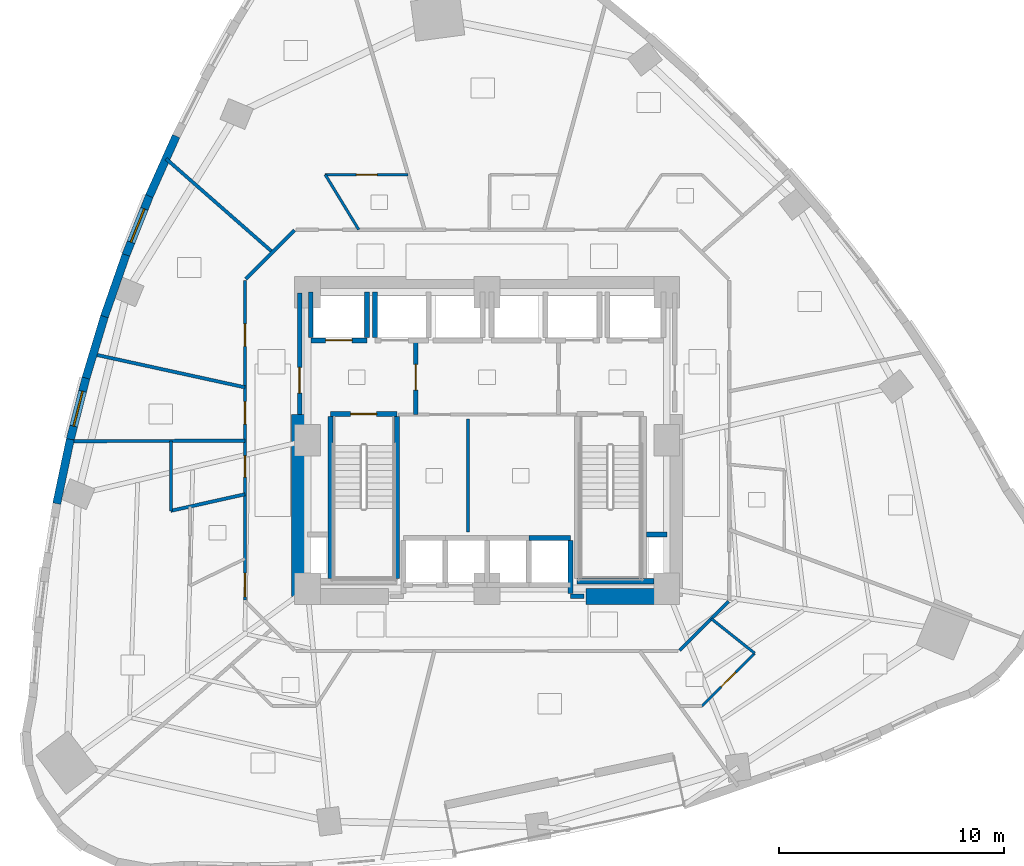
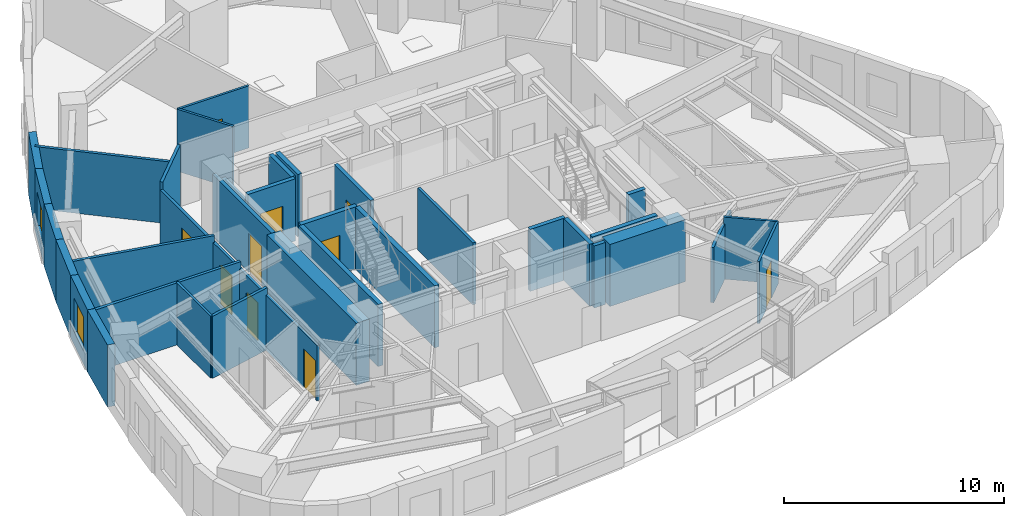
# One storey, part 6 of 12: 35 walls, 10 doors, 2 windows, 12 openings.
"""IFC4 building model written with IfcOpenShell, lengths in metres."""

from ifc_helpers import new_model, si_unit, direction, frame, frame_2d, origin, place, context, subcontext, project, spatial, rectangle, extrude, material, layer, layer_set, type_object, element, fill, save


model = new_model("IFC4")

# Units and contexts
model_context = context("Model", 3, precision=1e-05, world=origin(), true_north=direction((0.0, 1.0)))
body_context = subcontext(model_context, "Body", "Model", "MODEL_VIEW")
ifc_project = project(units=[si_unit("LENGTHUNIT", "METRE"), si_unit("AREAUNIT", "SQUARE_METRE"), si_unit("VOLUMEUNIT", "CUBIC_METRE"), si_unit("PLANEANGLEUNIT", "RADIAN"), si_unit("MASSUNIT", "GRAM", prefix="KILO")], contexts=[model_context])

# Site, building, storey
site_placement = place(None, origin())
site = spatial("IfcSite", under=ifc_project, at=site_placement, CompositionType="ELEMENT")
building_placement = place(site_placement, origin())
building = spatial("IfcBuilding", under=site, at=building_placement, Name="Ndelora Gate Hotel", CompositionType="ELEMENT")
storey_placement = place(building_placement, frame((0.0, 0.0, 79.25)))
storey = spatial("IfcBuildingStorey", under=building, at=storey_placement, Name="L19", CompositionType="ELEMENT", Elevation=79.25)

# Wall
ifc_material_1 = material(Name="Clay Brick Masonry", Category="masonry")
ifc_layer_1 = layer(ifc_material_1, 0.360107421875)
ifc_layer_set_1 = layer_set([ifc_layer_1], Name="Clay Brick Masonry")
wall_type_1 = type_object("IfcWallType", Name="WL-BRICK-360", PredefinedType="SOLIDWALL", material=ifc_layer_set_1)
wall_1_placement = place(storey_placement, frame((-15.038330078125, 10.87255859375, 0.0), z_axis=(0.0, 0.0, 1.0), x_axis=(0.408305664589, 0.912845268523, 0.0)))
element("IfcWall", 1, at=wall_1_placement, inside=storey, type_object=wall_type_1, Name="L19 Tower Brick Pier-and-Spandrel Wall TWR-12", PredefinedType="SOLIDWALL", context=body_context, shape_type="SweptSolid", body=[
    extrude(rectangle(XDim=2.925048828125, YDim=0.360107421875, at=frame_2d((1.46240234375, 0.0))), origin(), (0.0, 0.0, 1.0), 3.43994140625),
])

# Wall, opening, window
wall_2_placement = place(storey_placement, frame((-16.09521484375, 8.209716796875, 0.0), z_axis=(0.0, 0.0, 1.0), x_axis=(0.369223403916, 0.929340668432, 0.0)))
wall_2 = element("IfcWall", 2, at=wall_2_placement, inside=storey, type_object=wall_type_1, Name="L19 Tower Brick Pier-and-Spandrel Wall TWR-13", PredefinedType="SOLIDWALL", context=body_context, shape_type="SweptSolid", body=[
    extrude(rectangle(XDim=2.914794921875, YDim=0.360107421875, at=frame_2d((1.45751953125, 0.0))), origin(), (0.0, 0.0, 1.0), 3.43994140625),
])
opening_1_placement = place(wall_2_placement, frame((0.657470703125, 0.0, 0.719970703125)))
opening_1 = element("IfcOpeningElement", 3, at=opening_1_placement, cuts=wall_2, Name="Opening W03", PredefinedType="OPENING", context=body_context, shape_type="SweptSolid", body=[
    extrude(rectangle(XDim=1.60009765625, YDim=1.8798828125, at=frame_2d((0.800048828125, 0.93994140625))), frame((0.0, 0.18994140625, 0.0), z_axis=(0.0, -1.0, 0.0), x_axis=(1.0, 0.0, 0.0)), (0.0, 0.0, 1.0), 0.380126953125),
])
ifc_material_2 = material(Name="Insulated Low-E Double Glazing in Bronze Aluminium Frame", Category="aluminium")
window_type_1 = type_object("IfcWindowType", Name="WN-CORN-2100", PartitioningType="SINGLE_PANEL", PredefinedType="WINDOW", material=ifc_material_2)
window_1_placement = place(opening_1_placement, origin())
window_1 = element("IfcWindow", 4, at=window_1_placement, inside=storey, type_object=window_type_1, Name="L19 Deep-Set Brick-Pier Window W03", OverallHeight=1.8798828125, OverallWidth=1.60009765625, PartitioningType="SINGLE_PANEL", PredefinedType="WINDOW", context=body_context, shape_type="SweptSolid", body=[
    extrude(rectangle(XDim=1.60009765625, YDim=1.8798828125, at=frame_2d((0.800048828125, 0.93994140625))), frame((0.0, 0.030029296875, 0.0), z_axis=(0.0, -1.0, 0.0), x_axis=(1.0, 0.0, 0.0)), (0.0, 0.0, 1.0), 0.06005859375),
])
fill(opening_1, window_1)

# Walls
wall_3_placement = place(storey_placement, frame((-17.035888671875, 5.509033203125, 0.0), z_axis=(0.0, 0.0, 1.0), x_axis=(0.329262553332, 0.944238407911, 0.0)))
element("IfcWall", 5, at=wall_3_placement, inside=storey, type_object=wall_type_1, Name="L19 Tower Brick Pier-and-Spandrel Wall TWR-14", PredefinedType="SOLIDWALL", context=body_context, shape_type="SweptSolid", body=[
    extrude(rectangle(XDim=2.90966796875, YDim=0.360107421875, at=frame_2d((1.454833984375, 0.0))), origin(), (0.0, 0.0, 1.0), 3.43994140625),
])
wall_4_placement = place(storey_placement, frame((-17.860107421875, 2.770751953125, 0.0), z_axis=(0.0, 0.0, 1.0), x_axis=(0.288579409527, 0.95745596473, 0.0)))
element("IfcWall", 6, at=wall_4_placement, inside=storey, type_object=wall_type_1, Name="L19 Tower Brick Pier-and-Spandrel Wall TWR-15", PredefinedType="SOLIDWALL", context=body_context, shape_type="SweptSolid", body=[
    extrude(rectangle(XDim=2.909423828125, YDim=0.360107421875, at=frame_2d((1.45458984375, 0.0))), origin(), (0.0, 0.0, 1.0), 3.43994140625),
])

# Wall, opening, window
wall_5_placement = place(storey_placement, frame((-18.568359375, -0.00537109375, 0.0), z_axis=(0.0, 0.0, 1.0), x_axis=(0.247577302221, 0.968868143467, 0.0)))
wall_5 = element("IfcWall", 7, at=wall_5_placement, inside=storey, type_object=wall_type_1, Name="L19 Tower Brick Pier-and-Spandrel Wall TWR-16", PredefinedType="SOLIDWALL", context=body_context, shape_type="SweptSolid", body=[
    extrude(rectangle(XDim=2.9150390625, YDim=0.360107421875, at=frame_2d((1.45751953125, 0.0))), origin(), (0.0, 0.0, 1.0), 3.43994140625),
])
opening_2_placement = place(wall_5_placement, frame((0.657470703125, 0.0, 0.719970703125)))
opening_2 = element("IfcOpeningElement", 8, at=opening_2_placement, cuts=wall_5, Name="Opening W01", PredefinedType="OPENING", context=body_context, shape_type="SweptSolid", body=[
    extrude(rectangle(XDim=1.60009765625, YDim=1.8798828125, at=frame_2d((0.800048828125, 0.93994140625))), frame((0.0, 0.18994140625, 0.0), z_axis=(0.0, -1.0, 0.0), x_axis=(1.0, 0.0, 0.0)), (0.0, 0.0, 1.0), 0.380126953125),
])
window_type_2 = type_object("IfcWindowType", Name="WN-DEEP-1600", PartitioningType="SINGLE_PANEL", PredefinedType="WINDOW", material=ifc_material_2)
window_2_placement = place(opening_2_placement, origin())
window_2 = element("IfcWindow", 9, at=window_2_placement, inside=storey, type_object=window_type_2, Name="L19 Deep-Set Brick-Pier Window W01", OverallHeight=1.8798828125, OverallWidth=1.60009765625, PartitioningType="SINGLE_PANEL", PredefinedType="WINDOW", context=body_context, shape_type="SweptSolid", body=[
    extrude(rectangle(XDim=1.60009765625, YDim=1.8798828125, at=frame_2d((0.800048828125, 0.93994140625))), frame((0.0, 0.030029296875, 0.0), z_axis=(0.0, -1.0, 0.0), x_axis=(1.0, 0.0, 0.0)), (0.0, 0.0, 1.0), 0.06005859375),
])
fill(opening_2, window_2)

# Walls
wall_6_placement = place(storey_placement, frame((-19.16015625, -2.819091796875, 0.0), z_axis=(0.0, 0.0, 1.0), x_axis=(0.206216567534, 0.978506375694, 0.0)))
element("IfcWall", 10, at=wall_6_placement, inside=storey, type_object=wall_type_1, Name="L19 Tower Brick Pier-and-Spandrel Wall TWR-17", PredefinedType="SOLIDWALL", context=body_context, shape_type="SweptSolid", body=[
    extrude(rectangle(XDim=2.925537109375, YDim=0.360107421875, at=frame_2d((1.462890625, 0.0))), origin(), (0.0, 0.0, 1.0), 3.43994140625),
])
ifc_material_3 = material(Name="Concrete C60/75", Category="concrete")
ifc_layer_2 = layer(ifc_material_3, 0.699951171875)
ifc_layer_set_2 = layer_set([ifc_layer_2], Name="Concrete C60/75")
wall_type_2 = type_object("IfcWallType", Name="WL-CORE-700", PredefinedType="SHEAR", material=ifc_layer_set_2)
wall_7_placement = place(storey_placement, frame((4.39990234375, -6.949951171875, 0.0), z_axis=(0.0, 0.0, 1.0), x_axis=(1.0, 0.0, 0.0)))
element("IfcWall", 11, at=wall_7_placement, inside=storey, type_object=wall_type_2, Name="L19 Core Shear Wall S-E", PredefinedType="SHEAR", context=body_context, shape_type="SweptSolid", body=[
    extrude(rectangle(XDim=3.9501953125, YDim=0.699951171875, at=frame_2d((1.97509765625, 0.0))), origin(), (0.0, 0.0, 1.0), 3.43994140625),
])
wall_8_placement = place(storey_placement, frame((-8.35009765625, -6.949951171875, 0.0), z_axis=(0.0, 0.0, 1.0), x_axis=(0.0, 1.0, 0.0)))
element("IfcWall", 12, at=wall_8_placement, inside=storey, type_object=wall_type_2, Name="L19 Core Shear Wall W", PredefinedType="SHEAR", context=body_context, shape_type="SweptSolid", body=[
    extrude(rectangle(XDim=8.099853515625, YDim=0.699951171875, at=frame_2d((4.0498046875, 0.0))), origin(), (0.0, 0.0, 1.0), 3.43994140625),
])

# Wall, opening, door
ifc_material_4 = material(Name="Concrete C40/50", Category="concrete")
ifc_layer_3 = layer(ifc_material_4, 0.199951171875)
ifc_layer_set_3 = layer_set([ifc_layer_3], Name="Concrete C40/50")
wall_type_3 = type_object("IfcWallType", Name="WL-FIRE-200", PredefinedType="PARTITIONING", material=ifc_layer_set_3)
wall_9_placement = place(storey_placement, frame((-3.179931640625, 1.14990234375, 0.0), z_axis=(0.0, 0.0, 1.0), x_axis=(0.0, 1.0, 0.0)))
wall_9 = element("IfcWall", 13, at=wall_9_placement, inside=storey, type_object=wall_type_3, Name="L19 Interior Wall IW-2", PredefinedType="PARTITIONING", context=body_context, shape_type="SweptSolid", body=[
    extrude(rectangle(XDim=3.300048828125, YDim=0.199951171875, at=frame_2d((1.64990234375, 0.0))), origin(), (0.0, 0.0, 1.0), 3.43994140625),
])
opening_3_placement = place(wall_9_placement, frame((1.080078125, 0.0, 0.0)))
opening_3 = element("IfcOpeningElement", 14, at=opening_3_placement, cuts=wall_9, Name="Opening FD1", PredefinedType="OPENING", context=body_context, shape_type="SweptSolid", body=[
    extrude(rectangle(XDim=1.14990234375, YDim=2.14990234375, at=frame_2d((0.574951171875, 1.074951171875))), frame((0.0, 0.10986328125, 0.0), z_axis=(0.0, -1.0, 0.0), x_axis=(1.0, 0.0, 0.0)), (0.0, 0.0, 1.0), 0.219970703125),
])
ifc_material_5 = material(Name="Fire-Rated Timber-Veneer Steel Core", Category="steel")
door_type_1 = type_object("IfcDoorType", Name="DR-FD60", OperationType="SINGLE_SWING_LEFT", PredefinedType="DOOR", material=ifc_material_5)
door_1_placement = place(opening_3_placement, origin())
door_1 = element("IfcDoor", 15, at=door_1_placement, inside=storey, type_object=door_type_1, Name="L19 Firefighting Lobby West Door", OperationType="SINGLE_SWING_RIGHT", OverallHeight=2.14990234375, OverallWidth=1.14990234375, PredefinedType="DOOR", context=body_context, shape_type="SweptSolid", body=[
    extrude(rectangle(XDim=1.14990234375, YDim=2.14990234375, at=frame_2d((0.574951171875, 1.074951171875))), frame((0.0, 0.02490234375, 0.0), z_axis=(0.0, -1.0, 0.0), x_axis=(1.0, 0.0, 0.0)), (0.0, 0.0, 1.0), 0.050048828125),
])
fill(opening_3, door_1)

wall_10_placement = place(storey_placement, frame((-8.35009765625, 1.14990234375, 0.0), z_axis=(0.0, 0.0, 1.0), x_axis=(0.0, 1.0, 0.0)))
wall_10 = element("IfcWall", 16, at=wall_10_placement, inside=storey, type_object=wall_type_3, Name="L19 Interior Wall IW-2", PredefinedType="PARTITIONING", context=body_context, shape_type="SweptSolid", body=[
    extrude(rectangle(XDim=5.400146484375, YDim=0.199951171875, at=frame_2d((2.7001953125, 0.0))), origin(), (0.0, 0.0, 1.0), 3.43994140625),
])
opening_4_placement = place(wall_10_placement, frame((0.949951171875, 0.0, 0.0)))
opening_4 = element("IfcOpeningElement", 17, at=opening_4_placement, cuts=wall_10, Name="Opening FD1", PredefinedType="OPENING", context=body_context, shape_type="SweptSolid", body=[
    extrude(rectangle(XDim=1.14990234375, YDim=2.14990234375, at=frame_2d((0.574951171875, 1.074951171875))), frame((0.0, 0.10986328125, 0.0), z_axis=(0.0, -1.0, 0.0), x_axis=(1.0, 0.0, 0.0)), (0.0, 0.0, 1.0), 0.219970703125),
])
door_2_placement = place(opening_4_placement, origin())
door_2 = element("IfcDoor", 18, at=door_2_placement, inside=storey, type_object=door_type_1, Name="L19 Firefighting Lobby West Corridor Door", OperationType="SINGLE_SWING_LEFT", OverallHeight=2.14990234375, OverallWidth=1.14990234375, PredefinedType="DOOR", context=body_context, shape_type="SweptSolid", body=[
    extrude(rectangle(XDim=1.14990234375, YDim=2.14990234375, at=frame_2d((0.574951171875, 1.074951171875))), frame((0.0, 0.02490234375, 0.0), z_axis=(0.0, -1.0, 0.0), x_axis=(1.0, 0.0, 0.0)), (0.0, 0.0, 1.0), 0.050048828125),
])
fill(opening_4, door_2)

# Walls
wall_11_placement = place(storey_placement, frame((3.719970703125, -6.949951171875, 0.0), z_axis=(0.0, 0.0, 1.0), x_axis=(1.0, 0.0, 0.0)))
element("IfcWall", 19, at=wall_11_placement, inside=storey, type_object=wall_type_3, Name="L19 Interior Wall IW-2", PredefinedType="PARTITIONING", context=body_context, shape_type="SweptSolid", body=[
    extrude(rectangle(XDim=0.60009765625, YDim=0.199951171875, at=frame_2d((0.300048828125, 0.0))), origin(), (0.0, 0.0, 1.0), 3.43994140625),
])
ifc_material_6 = material(Name="Fire-Rated Gypsum Stud Partition", Category="gypsum")
ifc_layer_4 = layer(ifc_material_6, 0.14990234375)
ifc_layer_set_4 = layer_set([ifc_layer_4], Name="Fire-Rated Gypsum Stud Partition")
wall_type_4 = type_object("IfcWallType", Name="WL-PART-150", PredefinedType="PARTITIONING", material=ifc_layer_set_4)
wall_12_placement = place(storey_placement, frame((-0.85009765625, -4.080078125, 0.0), z_axis=(0.0, 0.0, 1.0), x_axis=(0.0, 1.0, 0.0)))
element("IfcWall", 20, at=wall_12_placement, inside=storey, type_object=wall_type_4, Name="L19 Interior Wall IW-5", PredefinedType="PARTITIONING", context=body_context, shape_type="SweptSolid", body=[
    extrude(rectangle(XDim=5.030029296875, YDim=0.14990234375, at=frame_2d((2.51513671875, 0.0))), origin(), (0.0, 0.0, 1.0), 3.43994140625),
])
wall_13_placement = place(storey_placement, frame((10.751708984375, -7.17822265625, 0.0), z_axis=(0.0, 0.0, 1.0), x_axis=(-0.707067066127, -0.707146494016, 0.0)))
element("IfcWall", 21, at=wall_13_placement, inside=storey, type_object=wall_type_4, Name="L19 Interior Wall IW-5", PredefinedType="PARTITIONING", context=body_context, shape_type="SweptSolid", body=[
    extrude(rectangle(XDim=3.07373046875, YDim=0.14990234375, at=frame_2d((1.536865234375, 0.0))), origin(), (0.0, 0.0, 1.0), 3.06005859375),
])
wall_14_placement = place(storey_placement, frame((-10.751708984375, 7.17822265625, 0.0), z_axis=(0.0, 0.0, 1.0), x_axis=(0.707067066127, 0.707146494016, 0.0)))
element("IfcWall", 22, at=wall_14_placement, inside=storey, type_object=wall_type_4, Name="L19 Interior Wall IW-5", PredefinedType="PARTITIONING", context=body_context, shape_type="SweptSolid", body=[
    extrude(rectangle(XDim=3.07373046875, YDim=0.14990234375, at=frame_2d((1.536865234375, 0.0))), origin(), (0.0, 0.0, 1.0), 3.43994140625),
])

# Wall, openings, doors
wall_15_placement = place(storey_placement, frame((-10.780029296875, -7.110107421875, 0.0), z_axis=(0.0, 0.0, 1.0), x_axis=(0.0, 1.0, 0.0)))
wall_15 = element("IfcWall", 23, at=wall_15_placement, inside=storey, type_object=wall_type_4, Name="L19 Interior Wall IW-5", PredefinedType="PARTITIONING", context=body_context, shape_type="SweptSolid", body=[
    extrude(rectangle(XDim=14.22021484375, YDim=0.14990234375, at=frame_2d((7.110107421875, 0.0))), origin(), (0.0, 0.0, 1.0), 3.06005859375),
])
opening_5_placement = place(wall_15_placement, frame((5.470947265625, 0.0, 0.0)))
opening_5 = element("IfcOpeningElement", 24, at=opening_5_placement, cuts=wall_15, Name="Opening D05", PredefinedType="OPENING", context=body_context, shape_type="SweptSolid", body=[
    extrude(rectangle(XDim=0.949951171875, YDim=2.10009765625, at=frame_2d((0.47509765625, 1.050048828125))), frame((0.0, 0.0849609375, 0.0), z_axis=(0.0, -1.0, 0.0), x_axis=(1.0, 0.0, 0.0)), (0.0, 0.0, 1.0), 0.169921875),
])
opening_6_placement = place(wall_15_placement, frame((7.830322265625, 0.0, 0.0)))
opening_6 = element("IfcOpeningElement", 25, at=opening_6_placement, cuts=wall_15, Name="Opening D01", PredefinedType="OPENING", context=body_context, shape_type="SweptSolid", body=[
    extrude(rectangle(XDim=1.0, YDim=2.14990234375, at=frame_2d((0.5, 1.074951171875))), frame((0.0, 0.0849609375, 0.0), z_axis=(0.0, -1.0, 0.0), x_axis=(1.0, 0.0, 0.0)), (0.0, 0.0, 1.0), 0.169921875),
])
opening_7_placement = place(wall_15_placement, frame((11.294189453125, 0.0, 0.0)))
opening_7 = element("IfcOpeningElement", 26, at=opening_7_placement, cuts=wall_15, Name="Opening D01", PredefinedType="OPENING", context=body_context, shape_type="SweptSolid", body=[
    extrude(rectangle(XDim=1.0, YDim=2.14990234375, at=frame_2d((0.5, 1.074951171875))), frame((0.0, 0.0849609375, 0.0), z_axis=(0.0, -1.0, 0.0), x_axis=(1.0, 0.0, 0.0)), (0.0, 0.0, 1.0), 0.169921875),
])
opening_8_placement = place(wall_15_placement, frame((0.139892578125, 0.0, 0.0)))
opening_8 = element("IfcOpeningElement", 27, at=opening_8_placement, cuts=wall_15, Name="Opening D07", PredefinedType="OPENING", context=body_context, shape_type="SweptSolid", body=[
    extrude(rectangle(XDim=1.06005859375, YDim=2.14990234375, at=frame_2d((0.530029296875, 1.074951171875))), frame((0.0, 0.0849609375, 0.0), z_axis=(0.0, -1.0, 0.0), x_axis=(1.0, 0.0, 0.0)), (0.0, 0.0, 1.0), 0.169921875),
])
ifc_material_7 = material(Name="Accessible Restroom Wide-Clearance Door", Category="wood")
door_type_2 = type_object("IfcDoorType", Name="DR-ACC-950", OperationType="SINGLE_SWING_LEFT", PredefinedType="DOOR", material=ifc_material_7)
door_3_placement = place(opening_5_placement, origin())
door_3 = element("IfcDoor", 28, at=door_3_placement, inside=storey, type_object=door_type_2, Name="L19 Accessible WC Entrance Door", OperationType="SINGLE_SWING_RIGHT", OverallHeight=2.10009765625, OverallWidth=0.949951171875, PredefinedType="DOOR", context=body_context, shape_type="SweptSolid", body=[
    extrude(rectangle(XDim=0.949951171875, YDim=2.10009765625, at=frame_2d((0.47509765625, 1.050048828125))), frame((0.0, 0.02490234375, 0.0), z_axis=(0.0, -1.0, 0.0), x_axis=(1.0, 0.0, 0.0)), (0.0, 0.0, 1.0), 0.050048828125),
])
fill(opening_5, door_3)
ifc_material_8 = material(Name="Acoustic Hardwood Guest Entrance Door", Category="wood")
door_type_3 = type_object("IfcDoorType", Name="DR-COR-1000", OperationType="SINGLE_SWING_LEFT", PredefinedType="DOOR", material=ifc_material_8)
door_4_placement = place(opening_6_placement, origin())
door_4 = element("IfcDoor", 29, at=door_4_placement, inside=storey, type_object=door_type_3, Name="L19 Housekeeping and Linen Room Entrance Door", OperationType="SINGLE_SWING_LEFT", OverallHeight=2.14990234375, OverallWidth=1.0, PredefinedType="DOOR", context=body_context, shape_type="SweptSolid", body=[
    extrude(rectangle(XDim=1.0, YDim=2.14990234375, at=frame_2d((0.5, 1.074951171875))), frame((0.0, 0.02490234375, 0.0), z_axis=(0.0, -1.0, 0.0), x_axis=(1.0, 0.0, 0.0)), (0.0, 0.0, 1.0), 0.050048828125),
])
fill(opening_6, door_4)
door_5_placement = place(opening_7_placement, origin())
door_5 = element("IfcDoor", 30, at=door_5_placement, inside=storey, type_object=door_type_3, Name="L19 Espresso Cocktail Bar Entrance Door", OperationType="SINGLE_SWING_RIGHT", OverallHeight=2.14990234375, OverallWidth=1.0, PredefinedType="DOOR", context=body_context, shape_type="SweptSolid", body=[
    extrude(rectangle(XDim=1.0, YDim=2.14990234375, at=frame_2d((0.5, 1.074951171875))), frame((0.0, 0.02490234375, 0.0), z_axis=(0.0, -1.0, 0.0), x_axis=(1.0, 0.0, 0.0)), (0.0, 0.0, 1.0), 0.050048828125),
])
fill(opening_7, door_5)
ifc_material_9 = material(Name="Diplomatic Suite Acoustic Entrance Door", Category="wood")
door_type_4 = type_object("IfcDoorType", Name="DR-SUITE-1060", OperationType="SINGLE_SWING_LEFT", PredefinedType="DOOR", material=ifc_material_9)
door_6_placement = place(opening_8_placement, origin())
door_6 = element("IfcDoor", 31, at=door_6_placement, inside=storey, type_object=door_type_4, Name="L19 Two-Bay Diplomatic Suite 2201 Entrance Door", OperationType="SINGLE_SWING_RIGHT", OverallHeight=2.14990234375, OverallWidth=1.06005859375, PredefinedType="DOOR", context=body_context, shape_type="SweptSolid", body=[
    extrude(rectangle(XDim=1.06005859375, YDim=2.14990234375, at=frame_2d((0.530029296875, 1.074951171875))), frame((0.0, 0.02490234375, 0.0), z_axis=(0.0, -1.0, 0.0), x_axis=(1.0, 0.0, 0.0)), (0.0, 0.0, 1.0), 0.050048828125),
])
fill(opening_8, door_6)

# Walls
wall_16_placement = place(storey_placement, frame((-10.780029296875, -2.40283203125, 0.0), z_axis=(0.0, 0.0, 1.0), x_axis=(-0.976045834457, -0.217564999572, 0.0)))
element("IfcWall", 32, at=wall_16_placement, inside=storey, type_object=wall_type_4, Name="L19 Interior Wall IW-5", PredefinedType="PARTITIONING", context=body_context, shape_type="SweptSolid", body=[
    extrude(rectangle(XDim=3.381103515625, YDim=0.14990234375, at=frame_2d((1.6904296875, 0.0))), origin(), (0.0, 0.0, 1.0), 3.43994140625),
])
wall_17_placement = place(storey_placement, frame((-9.552490234375, 8.37744140625, 0.0), z_axis=(0.0, 0.0, 1.0), x_axis=(-0.751832839007, 0.659353761034, 0.0)))
element("IfcWall", 33, at=wall_17_placement, inside=storey, type_object=wall_type_4, Name="L19 Interior Wall IW-5", PredefinedType="PARTITIONING", context=body_context, shape_type="SweptSolid", body=[
    extrude(rectangle(XDim=6.306884765625, YDim=0.14990234375, at=frame_2d((3.1533203125, 0.0))), origin(), (0.0, 0.0, 1.0), 3.43994140625),
])
wall_18_placement = place(storey_placement, frame((-10.780029296875, 2.358154296875, 0.0), z_axis=(0.0, 0.0, 1.0), x_axis=(-0.97689172926, 0.213734763911, 0.0)))
element("IfcWall", 34, at=wall_18_placement, inside=storey, type_object=wall_type_4, Name="L19 Interior Wall IW-5", PredefinedType="PARTITIONING", context=body_context, shape_type="SweptSolid", body=[
    extrude(rectangle(XDim=6.918701171875, YDim=0.14990234375, at=frame_2d((3.45947265625, 0.0))), origin(), (0.0, 0.0, 1.0), 3.43994140625),
])
wall_19_placement = place(storey_placement, frame((-10.780029296875, -0.021240234375, 0.0), z_axis=(0.0, 0.0, 1.0), x_axis=(-0.999998052657, -0.001973494888, 0.0)))
element("IfcWall", 35, at=wall_19_placement, inside=storey, type_object=wall_type_4, Name="L19 Interior Wall IW-5", PredefinedType="PARTITIONING", context=body_context, shape_type="SweptSolid", body=[
    extrude(rectangle(XDim=7.793701171875, YDim=0.14990234375, at=frame_2d((3.89697265625, 0.0))), origin(), (0.0, 0.0, 1.0), 3.43994140625),
])
ifc_layer_5 = layer(ifc_material_4, 0.219970703125)
ifc_layer_set_5 = layer_set([ifc_layer_5], Name="Concrete C40/50")
wall_type_5 = type_object("IfcWallType", Name="WL-SHAFT-220", PredefinedType="PARTITIONING", material=ifc_layer_set_5)
wall_20_placement = place(storey_placement, frame((7.090087890625, -4.199951171875, 0.0), z_axis=(0.0, 0.0, 1.0), x_axis=(1.0, 0.0, 0.0)))
element("IfcWall", 36, at=wall_20_placement, inside=storey, type_object=wall_type_5, Name="L19 Interior Wall IW-1", PredefinedType="PARTITIONING", context=body_context, shape_type="SweptSolid", body=[
    extrude(rectangle(XDim=0.909912109375, YDim=0.219970703125, at=frame_2d((0.455078125, 0.0))), origin(), (0.0, 0.0, 1.0), 3.43994140625),
])

# Wall, opening, door
wall_21_placement = place(storey_placement, frame((-7.85009765625, 4.449951171875, 0.0), z_axis=(0.0, 0.0, 1.0), x_axis=(1.0, 0.0, 0.0)))
wall_21 = element("IfcWall", 37, at=wall_21_placement, inside=storey, type_object=wall_type_5, Name="L19 Interior Wall IW-1", PredefinedType="PARTITIONING", context=body_context, shape_type="SweptSolid", body=[
    extrude(rectangle(XDim=2.5, YDim=0.219970703125, at=frame_2d((1.25, 0.0))), origin(), (0.0, 0.0, 1.0), 3.43994140625),
])
opening_9_placement = place(wall_21_placement, frame((0.659912109375, 0.0, 0.0)))
opening_9 = element("IfcOpeningElement", 38, at=opening_9_placement, cuts=wall_21, Name="Opening LD5", PredefinedType="OPENING", context=body_context, shape_type="SweptSolid", body=[
    extrude(rectangle(XDim=1.179931640625, YDim=2.14990234375, at=frame_2d((0.58984375, 1.074951171875))), frame((0.0, 0.1201171875, 0.0), z_axis=(0.0, -1.0, 0.0), x_axis=(1.0, 0.0, 0.0)), (0.0, 0.0, 1.0), 0.239990234375),
])
ifc_material_10 = material(Name="Firefighting Lift Stainless Sliding Landing Door", Category="metal")
door_type_5 = type_object("IfcDoorType", Name="DR-LD5", OperationType="DOUBLE_DOOR_SLIDING", PredefinedType="DOOR", material=ifc_material_10)
door_7_placement = place(opening_9_placement, origin())
door_7 = element("IfcDoor", 39, at=door_7_placement, inside=storey, type_object=door_type_5, Name="L19 Lift Landing Sliding Door FFL1", OperationType="DOUBLE_DOOR_SLIDING", OverallHeight=2.14990234375, OverallWidth=1.179931640625, PredefinedType="DOOR", context=body_context, shape_type="SweptSolid", body=[
    extrude(rectangle(XDim=1.179931640625, YDim=2.14990234375, at=frame_2d((0.58984375, 1.074951171875))), frame((0.0, 0.02490234375, 0.0), z_axis=(0.0, -1.0, 0.0), x_axis=(1.0, 0.0, 0.0)), (0.0, 0.0, 1.0), 0.050048828125),
])
fill(opening_9, door_7)

# Walls
wall_22_placement = place(storey_placement, frame((-7.85009765625, 4.570068359375, 0.0), z_axis=(0.0, 0.0, 1.0), x_axis=(0.0, 1.0, 0.0)))
element("IfcWall", 40, at=wall_22_placement, inside=storey, type_object=wall_type_5, Name="L19 Interior Wall IW-1", PredefinedType="PARTITIONING", context=body_context, shape_type="SweptSolid", body=[
    extrude(rectangle(XDim=2.030029296875, YDim=0.219970703125, at=frame_2d((1.01513671875, 0.0))), origin(), (0.0, 0.0, 1.0), 3.02001953125),
])
for number, where, z_axis, x_axis, name in (
    (41, (-5.35009765625, 4.570068359375, 0.0), (0.0, 0.0, 1.0), (0.0, 1.0, 0.0), "L19 Interior Wall IW-1"),
    (42, (-5.0, 4.570068359375, 0.0), (0.0, 0.0, 1.0), (0.0, 1.0, 0.0), "L19 Interior Wall IW-1"),
):
    element("IfcWall", number, at=place(storey_placement, frame(where, z_axis=z_axis, x_axis=x_axis)), inside=storey, type_object=wall_type_5, Name=name, PredefinedType="PARTITIONING", context=body_context, shape_type="SweptSolid", body=[
        extrude(rectangle(XDim=2.030029296875, YDim=0.219970703125, at=frame_2d((1.01513671875, 0.0))), origin(), (0.0, 0.0, 1.0), 3.43994140625),
    ])
wall_23_placement = place(storey_placement, frame((1.860107421875, -4.35009765625, 0.0), z_axis=(0.0, 0.0, 1.0), x_axis=(1.0, 0.0, 0.0)))
element("IfcWall", 43, at=wall_23_placement, inside=storey, type_object=wall_type_5, Name="L19 Interior Wall IW-1", PredefinedType="PARTITIONING", context=body_context, shape_type="SweptSolid", body=[
    extrude(rectangle(XDim=1.85986328125, YDim=0.219970703125, at=frame_2d((0.929931640625, 0.0))), origin(), (0.0, 0.0, 1.0), 3.43994140625),
])
wall_24_placement = place(storey_placement, frame((3.719970703125, -6.830078125, 0.0), z_axis=(0.0, 0.0, 1.0), x_axis=(0.0, 1.0, 0.0)))
element("IfcWall", 44, at=wall_24_placement, inside=storey, type_object=wall_type_5, Name="L19 Interior Wall IW-1", PredefinedType="PARTITIONING", context=body_context, shape_type="SweptSolid", body=[
    extrude(rectangle(XDim=2.360107421875, YDim=0.219970703125, at=frame_2d((1.18017578125, 0.0))), origin(), (0.0, 0.0, 1.0), 3.43994140625),
])
ifc_material_11 = material(Name="Concrete C50/60", Category="concrete")
ifc_layer_6 = layer(ifc_material_11, 0.239990234375)
ifc_layer_set_6 = layer_set([ifc_layer_6], Name="Concrete C50/60")
wall_type_6 = type_object("IfcWallType", Name="WL-STAIR-240", PredefinedType="SHEAR", material=ifc_layer_set_6)
for number, where, z_axis, x_axis, name in (
    (45, (-6.969970703125, -6.159912109375, 0.0), (0.0, 0.0, 1.0), (0.0, 1.0, 0.0), "L19 Stair Core Shear Wall SW-ST"),
    (46, (-4.010009765625, -6.159912109375, 0.0), (0.0, 0.0, 1.0), (0.0, 1.0, 0.0), "L19 Stair Core Shear Wall SW-ST"),
):
    element("IfcWall", number, at=place(storey_placement, frame(where, z_axis=z_axis, x_axis=x_axis)), inside=storey, type_object=wall_type_6, Name=name, PredefinedType="SHEAR", context=body_context, shape_type="SweptSolid", body=[
        extrude(rectangle(XDim=7.219970703125, YDim=0.239990234375, at=frame_2d((3.60986328125, 0.0))), origin(), (0.0, 0.0, 1.0), 3.43994140625),
    ])

# Wall, opening, door
wall_25_placement = place(storey_placement, frame((-6.969970703125, 1.169921875, 0.0), z_axis=(0.0, 0.0, 1.0), x_axis=(1.0, 0.0, 0.0)))
wall_25 = element("IfcWall", 47, at=wall_25_placement, inside=storey, type_object=wall_type_6, Name="L19 Stair Core Shear Wall SW-ST", PredefinedType="SHEAR", context=body_context, shape_type="SweptSolid", body=[
    extrude(rectangle(XDim=2.9599609375, YDim=0.239990234375, at=frame_2d((1.47998046875, 0.0))), origin(), (0.0, 0.0, 1.0), 3.43994140625),
])
opening_10_placement = place(wall_25_placement, frame((0.89990234375, 0.0, 0.0)))
opening_10 = element("IfcOpeningElement", 48, at=opening_10_placement, cuts=wall_25, Name="Opening FD1", PredefinedType="OPENING", context=body_context, shape_type="SweptSolid", body=[
    extrude(rectangle(XDim=1.14990234375, YDim=2.14990234375, at=frame_2d((0.574951171875, 1.074951171875))), frame((0.0, 0.1298828125, 0.0), z_axis=(0.0, -1.0, 0.0), x_axis=(1.0, 0.0, 0.0)), (0.0, 0.0, 1.0), 0.260009765625),
])
door_8_placement = place(opening_10_placement, origin())
door_8 = element("IfcDoor", 49, at=door_8_placement, inside=storey, type_object=door_type_1, Name="L19 Exit Stair ST4 Door", OperationType="SINGLE_SWING_LEFT", OverallHeight=2.14990234375, OverallWidth=1.14990234375, PredefinedType="DOOR", context=body_context, shape_type="SweptSolid", body=[
    extrude(rectangle(XDim=1.14990234375, YDim=2.14990234375, at=frame_2d((0.574951171875, 1.074951171875))), frame((0.0, 0.02490234375, 0.0), z_axis=(0.0, -1.0, 0.0), x_axis=(1.0, 0.0, 0.0)), (0.0, 0.0, 1.0), 0.050048828125),
])
fill(opening_10, door_8)

# Walls
wall_26_placement = place(storey_placement, frame((4.010009765625, -6.27001953125, 0.0), z_axis=(0.0, 0.0, 1.0), x_axis=(1.0, 0.0, 0.0)))
element("IfcWall", 50, at=wall_26_placement, inside=storey, type_object=wall_type_6, Name="L19 Stair Core Shear Wall SW-ST", PredefinedType="SHEAR", context=body_context, shape_type="SweptSolid", body=[
    extrude(rectangle(XDim=3.4150390625, YDim=0.239990234375, at=frame_2d((1.70751953125, 0.0))), origin(), (0.0, 0.0, 1.0), 3.43994140625),
])
ifc_material_12 = material(Name="Moisture-Resistant Bathroom Tile Partition", Category="gypsum")
ifc_layer_7 = layer(ifc_material_12, 0.1201171875)
ifc_layer_set_7 = layer_set([ifc_layer_7], Name="Moisture-Resistant Bathroom Tile Partition")
wall_type_7 = type_object("IfcWallType", Name="WL-WET-120", PredefinedType="PARTITIONING", material=ifc_layer_set_7)
wall_27_placement = place(storey_placement, frame((9.985107421875, -7.94482421875, 0.0), z_axis=(0.0, 0.0, 1.0), x_axis=(0.782479351314, -0.622676533015, 0.0)))
element("IfcWall", 51, at=wall_27_placement, inside=storey, type_object=wall_type_7, Name="L19 Interior Wall IW-7", PredefinedType="PARTITIONING", context=body_context, shape_type="SweptSolid", body=[
    extrude(rectangle(XDim=2.4658203125, YDim=0.1201171875, at=frame_2d((1.23291015625, 0.0))), origin(), (0.0, 0.0, 1.0), 3.43994140625),
])

# Wall, opening, door
wall_28_placement = place(storey_placement, frame((11.91455078125, -9.480224609375, 0.0), z_axis=(0.0, 0.0, 1.0), x_axis=(-0.707106781187, -0.707106781187, 0.0)))
wall_28 = element("IfcWall", 52, at=wall_28_placement, inside=storey, type_object=wall_type_7, Name="L19 Interior Wall IW-7", PredefinedType="PARTITIONING", context=body_context, shape_type="SweptSolid", body=[
    extrude(rectangle(XDim=3.3232421875, YDim=0.1201171875, at=frame_2d((1.66162109375, 0.0))), origin(), (0.0, 0.0, 1.0), 3.43994140625),
])
opening_11_placement = place(wall_28_placement, frame((1.20166015625, 0.0, 0.0)))
opening_11 = element("IfcOpeningElement", 53, at=opening_11_placement, cuts=wall_28, Name="Opening D03", PredefinedType="OPENING", context=body_context, shape_type="SweptSolid", body=[
    extrude(rectangle(XDim=0.919921875, YDim=2.10009765625, at=frame_2d((0.4599609375, 1.050048828125))), frame((0.0, 0.070068359375, 0.0), z_axis=(0.0, -1.0, 0.0), x_axis=(1.0, 0.0, 0.0)), (0.0, 0.0, 1.0), 0.14013671875),
])
ifc_material_13 = material(Name="Moisture-Resistant Hardwood En-Suite Door", Category="wood")
door_type_6 = type_object("IfcDoorType", Name="DR-BATH-920", OperationType="SINGLE_SWING_LEFT", PredefinedType="DOOR", material=ifc_material_13)
door_9_placement = place(opening_11_placement, origin())
door_9 = element("IfcDoor", 54, at=door_9_placement, inside=storey, type_object=door_type_6, Name="L19 En-suite Bathroom 2203 Door", OperationType="SINGLE_SWING_RIGHT", OverallHeight=2.10009765625, OverallWidth=0.919921875, PredefinedType="DOOR", context=body_context, shape_type="SweptSolid", body=[
    extrude(rectangle(XDim=0.919921875, YDim=2.10009765625, at=frame_2d((0.4599609375, 1.050048828125))), frame((0.0, 0.02490234375, 0.0), z_axis=(0.0, -1.0, 0.0), x_axis=(1.0, 0.0, 0.0)), (0.0, 0.0, 1.0), 0.050048828125),
])
fill(opening_11, door_9)

# Wall
wall_29_placement = place(storey_placement, frame((-7.206787109375, 11.830078125, 0.0), z_axis=(0.0, 0.0, 1.0), x_axis=(0.520203390889, -0.854042406504, 0.0)))
element("IfcWall", 55, at=wall_29_placement, inside=storey, type_object=wall_type_7, Name="L19 Interior Wall IW-7", PredefinedType="PARTITIONING", context=body_context, shape_type="SweptSolid", body=[
    extrude(rectangle(XDim=2.868896484375, YDim=0.1201171875, at=frame_2d((1.4345703125, 0.0))), origin(), (0.0, 0.0, 1.0), 3.43994140625),
])

# Wall, opening, door
wall_30_placement = place(storey_placement, frame((-7.206787109375, 11.830078125, 0.0), z_axis=(0.0, 0.0, 1.0), x_axis=(1.0, 0.0, 0.0)))
wall_30 = element("IfcWall", 56, at=wall_30_placement, inside=storey, type_object=wall_type_7, Name="L19 Interior Wall IW-7", PredefinedType="PARTITIONING", context=body_context, shape_type="SweptSolid", body=[
    extrude(rectangle(XDim=3.6962890625, YDim=0.1201171875, at=frame_2d((1.84814453125, 0.0))), origin(), (0.0, 0.0, 1.0), 3.43994140625),
])
opening_12_placement = place(wall_30_placement, frame((1.38818359375, 0.0, 0.0)))
opening_12 = element("IfcOpeningElement", 57, at=opening_12_placement, cuts=wall_30, Name="Opening D03", PredefinedType="OPENING", context=body_context, shape_type="SweptSolid", body=[
    extrude(rectangle(XDim=0.919921875, YDim=2.10009765625, at=frame_2d((0.4599609375, 1.050048828125))), frame((0.0, 0.070068359375, 0.0), z_axis=(0.0, -1.0, 0.0), x_axis=(1.0, 0.0, 0.0)), (0.0, 0.0, 1.0), 0.14013671875),
])
door_10_placement = place(opening_12_placement, origin())
door_10 = element("IfcDoor", 58, at=door_10_placement, inside=storey, type_object=door_type_6, Name="L19 En-suite Bathroom 2207 Door", OperationType="SINGLE_SWING_RIGHT", OverallHeight=2.10009765625, OverallWidth=0.919921875, PredefinedType="DOOR", context=body_context, shape_type="SweptSolid", body=[
    extrude(rectangle(XDim=0.919921875, YDim=2.10009765625, at=frame_2d((0.4599609375, 1.050048828125))), frame((0.0, 0.02490234375, 0.0), z_axis=(0.0, -1.0, 0.0), x_axis=(1.0, 0.0, 0.0)), (0.0, 0.0, 1.0), 0.050048828125),
])
fill(opening_12, door_10)

# Wall
ifc_material_14 = material(Name="Moisture-Resistant Fire-Rated Tile Partition", Category="gypsum")
ifc_layer_8 = layer(ifc_material_14, 0.1298828125)
ifc_layer_set_8 = layer_set([ifc_layer_8], Name="Moisture-Resistant Fire-Rated Tile Partition")
wall_type_8 = type_object("IfcWallType", Name="WL-WET-RATED", PredefinedType="PARTITIONING", material=ifc_layer_set_8)
wall_31_placement = place(storey_placement, frame((-14.080078125, -3.138427734375, 0.0), z_axis=(0.0, 0.0, 1.0), x_axis=(0.0, 1.0, 0.0)))
element("IfcWall", 59, at=wall_31_placement, inside=storey, type_object=wall_type_8, Name="L19 Interior Wall IW-6", PredefinedType="PARTITIONING", context=body_context, shape_type="SweptSolid", body=[
    extrude(rectangle(XDim=3.110595703125, YDim=0.1298828125, at=frame_2d((1.55517578125, 0.0))), origin(), (0.0, 0.0, 1.0), 3.43994140625),
])

save(model, "model.ifc")
